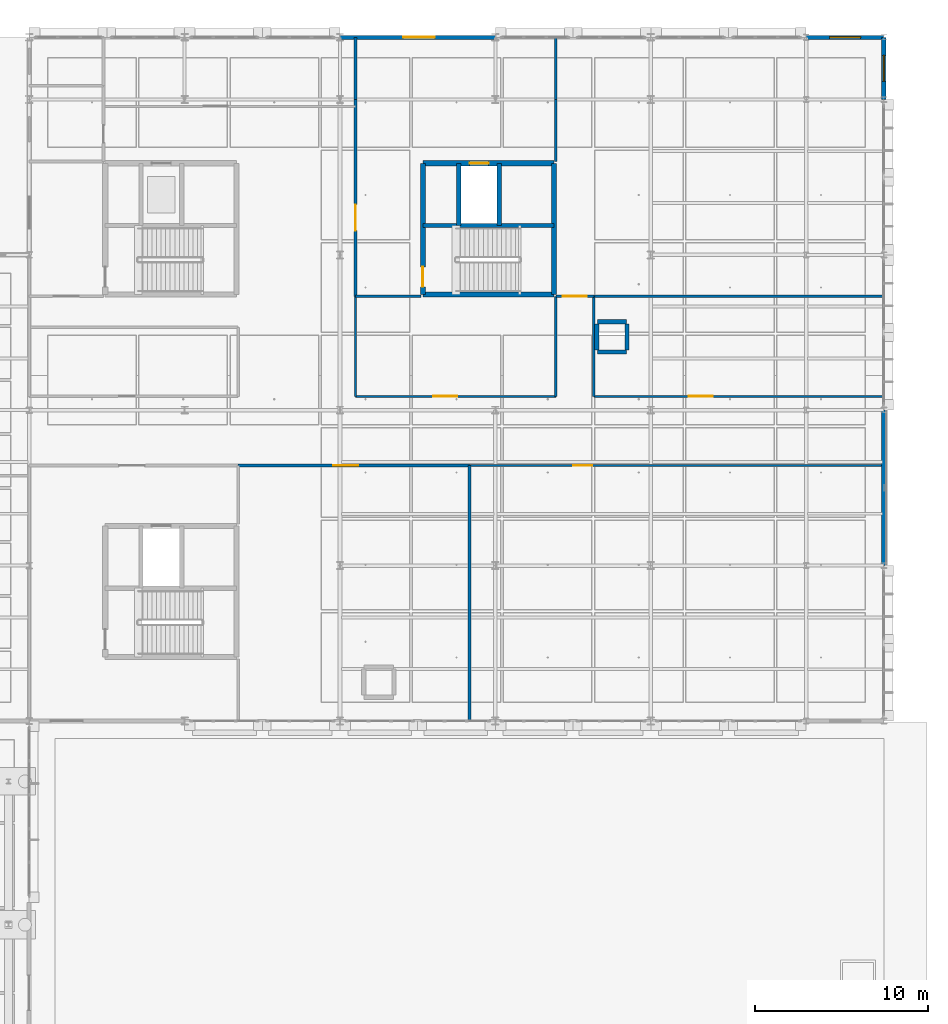
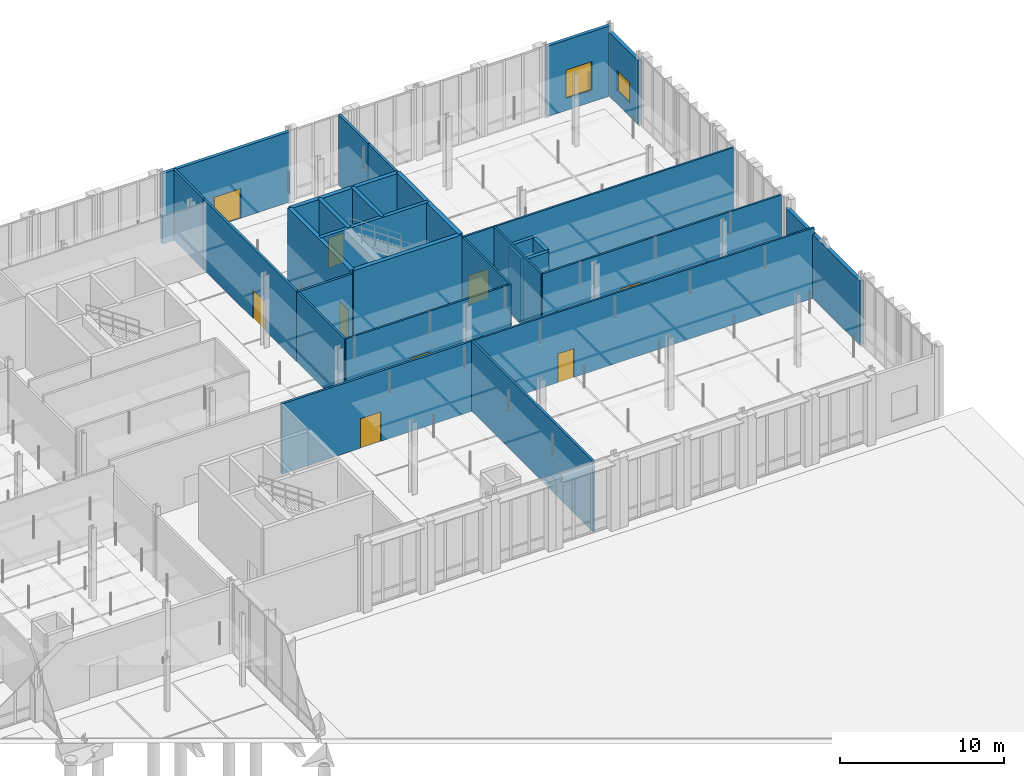
# One storey, part 102 of 180: 30 walls, 9 doors, 2 windows, 11 openings.
"""IFC4 building model written with IfcOpenShell, lengths in metres."""

from ifc_helpers import new_model, si_unit, direction, frame, frame_2d, origin, place, context, subcontext, project, spatial, rectangle, extrude, material, layer, layer_set, type_object, element, fill, save


model = new_model("IFC4")

# Units and contexts
model_context = context("Model", 3, precision=1e-05, world=origin(), true_north=direction((0.0, 1.0)))
body_context = subcontext(model_context, "Body", "Model", "MODEL_VIEW")
ifc_project = project(units=[si_unit("LENGTHUNIT", "METRE"), si_unit("AREAUNIT", "SQUARE_METRE"), si_unit("VOLUMEUNIT", "CUBIC_METRE"), si_unit("PLANEANGLEUNIT", "RADIAN"), si_unit("MASSUNIT", "GRAM", prefix="KILO"), si_unit("THERMODYNAMICTEMPERATUREUNIT", "KELVIN"), si_unit("POWERUNIT", "WATT")], contexts=[model_context])

# Site, building, storey
site_placement = place(None, origin())
site = spatial("IfcSite", under=ifc_project, at=site_placement, CompositionType="ELEMENT")
building_placement = place(site_placement, origin())
building = spatial("IfcBuilding", under=site, at=building_placement, Name="Tallowbark Science Centre", CompositionType="ELEMENT")
storey_placement = place(building_placement, origin())
storey = spatial("IfcBuildingStorey", under=building, at=storey_placement, Name="L00", CompositionType="ELEMENT", Elevation=0.0)

# Wall, opening, door
ifc_material_1 = material(Name="Hawkesbury Sandstone Faced Masonry Cavity Wall", Category="masonry")
ifc_layer_1 = layer(ifc_material_1, 0.22998046875)
ifc_layer_set_1 = layer_set([ifc_layer_1], Name="Hawkesbury Sandstone Faced Masonry Cavity Wall")
wall_type_1 = type_object("IfcWallType", Name="EWL-MAS-230", PredefinedType="STANDARD", material=ifc_layer_set_1)
wall_1_placement = place(storey_placement, frame((139.5, 111.60009765625, 0.0), z_axis=(0.0, 0.0, 1.0), x_axis=(-1.0, 0.0, 0.0)))
wall_1 = element("IfcWall", 1, at=wall_1_placement, inside=storey, type_object=wall_type_1, Name="Exterior Wall OBS-N-L00-130", PredefinedType="STANDARD", context=body_context, shape_type="SweptSolid", body=[
    extrude(rectangle(XDim=9.0, YDim=0.22998046875, at=frame_2d((4.5, 0.0))), origin(), (0.0, 0.0, 1.0), 5.219970703125),
])
opening_1_placement = place(wall_1_placement, frame((3.5, 0.0, 0.0)))
opening_1 = element("IfcOpeningElement", 2, at=opening_1_placement, cuts=wall_1, Name="Opening ED-07", PredefinedType="OPENING", context=body_context, shape_type="SweptSolid", body=[
    extrude(rectangle(XDim=1.85009765625, YDim=2.199951171875, at=frame_2d((0.925048828125, 1.10009765625))), frame((0.0, 0.125, 0.0), z_axis=(0.0, -1.0, 0.0), x_axis=(1.0, 0.0, 0.0)), (0.0, 0.0, 1.0), 0.25),
])
ifc_material_2 = material(Name="Powdercoated Galvanised Steel Leaf", Category="steel")
door_type_1 = type_object("IfcDoorType", Name="EDR-ESC-185", OperationType="DOUBLE_DOOR_SINGLE_SWING", PredefinedType="DOOR", material=ifc_material_2)
door_1_placement = place(opening_1_placement, origin())
door_1 = element("IfcDoor", 3, at=door_1_placement, inside=storey, type_object=door_type_1, Name="Exterior Door EDR-L00-034", OperationType="DOUBLE_DOOR_SINGLE_SWING", OverallHeight=2.199951171875, OverallWidth=1.85009765625, PredefinedType="DOOR", context=body_context, shape_type="SweptSolid", body=[
    extrude(rectangle(XDim=1.85009765625, YDim=2.199951171875, at=frame_2d((0.925048828125, 1.10009765625))), frame((0.0, 0.02490234375, 0.0), z_axis=(0.0, -1.0, 0.0), x_axis=(1.0, 0.0, 0.0)), (0.0, 0.0, 1.0), 0.050048828125),
])
fill(opening_1, door_1)

# Wall, opening, window
wall_2_placement = place(storey_placement, frame((162.0, 111.60009765625, 0.0), z_axis=(0.0, 0.0, 1.0), x_axis=(-1.0, 0.0, 0.0)))
wall_2 = element("IfcWall", 4, at=wall_2_placement, inside=storey, type_object=wall_type_1, Name="Exterior Wall OBS-N-L00-157", PredefinedType="STANDARD", context=body_context, shape_type="SweptSolid", body=[
    extrude(rectangle(XDim=4.5, YDim=0.22998046875, at=frame_2d((2.25, 0.0))), origin(), (0.0, 0.0, 1.0), 5.219970703125),
])
opening_2_placement = place(wall_2_placement, frame((1.35009765625, 0.0, 0.89990234375)))
opening_2 = element("IfcOpeningElement", 5, at=opening_2_placement, cuts=wall_2, Name="Opening W-04", PredefinedType="OPENING", context=body_context, shape_type="SweptSolid", body=[
    extrude(rectangle(XDim=1.800048828125, YDim=2.10009765625, at=frame_2d((0.89990234375, 1.050048828125))), frame((0.0, 0.125, 0.0), z_axis=(0.0, -1.0, 0.0), x_axis=(1.0, 0.0, 0.0)), (0.0, 0.0, 1.0), 0.25),
])
ifc_material_3 = material(Name="Thermally Broken Aluminium and Low-E Double Glazing", Category="aluminium")
window_type_1 = type_object("IfcWindowType", Name="WIN-F180x210", PartitioningType="SINGLE_PANEL", PredefinedType="WINDOW", material=ifc_material_3)
window_1_placement = place(opening_2_placement, origin())
window_1 = element("IfcWindow", 6, at=window_1_placement, inside=storey, type_object=window_type_1, Name="Window WIN-L00-0036", OverallHeight=2.10009765625, OverallWidth=1.800048828125, PartitioningType="SINGLE_PANEL", PredefinedType="WINDOW", context=body_context, shape_type="SweptSolid", body=[
    extrude(rectangle(XDim=1.800048828125, YDim=2.10009765625, at=frame_2d((0.89990234375, 1.050048828125))), frame((0.0, 0.030029296875, 0.0), z_axis=(0.0, -1.0, 0.0), x_axis=(1.0, 0.0, 0.0)), (0.0, 0.0, 1.0), 0.06005859375),
])
fill(opening_2, window_1)

# Wall
ifc_material_4 = material(Name="Insulated Precast Concrete Panel Grade N40 (40 MPa)", Category="concrete")
ifc_layer_2 = layer(ifc_material_4, 0.25)
ifc_layer_set_2 = layer_set([ifc_layer_2], Name="Insulated Precast Concrete Panel Grade N40 (40 MPa)")
wall_type_2 = type_object("IfcWallType", Name="EWL-PRC-250", PredefinedType="STANDARD", material=ifc_layer_set_2)
wall_3_placement = place(storey_placement, frame((162.0, 81.0, 0.0), z_axis=(0.0, 0.0, 1.0), x_axis=(0.0, 1.0, 0.0)))
element("IfcWall", 7, at=wall_3_placement, inside=storey, type_object=wall_type_2, Name="Exterior Wall OBS-E-L00-81", PredefinedType="STANDARD", context=body_context, shape_type="SweptSolid", body=[
    extrude(rectangle(XDim=9.0, YDim=0.25, at=frame_2d((4.5, 0.0))), origin(), (0.0, 0.0, 1.0), 4.74609375),
])

# Wall, opening, window
wall_4_placement = place(storey_placement, frame((162.0, 108.0, 0.0), z_axis=(0.0, 0.0, 1.0), x_axis=(0.0, 1.0, 0.0)))
wall_4 = element("IfcWall", 8, at=wall_4_placement, inside=storey, type_object=wall_type_2, Name="Exterior Wall OBS-E-L00-108", PredefinedType="STANDARD", context=body_context, shape_type="SweptSolid", body=[
    extrude(rectangle(XDim=3.60009765625, YDim=0.25, at=frame_2d((1.800048828125, 0.0))), origin(), (0.0, 0.0, 1.0), 4.74609375),
])
opening_3_placement = place(wall_4_placement, frame((1.050048828125, 0.0, 1.0)))
opening_3 = element("IfcOpeningElement", 9, at=opening_3_placement, cuts=wall_4, Name="Opening W-08", PredefinedType="OPENING", context=body_context, shape_type="SweptSolid", body=[
    extrude(rectangle(XDim=1.5, YDim=1.5, at=frame_2d((0.75, 0.75))), frame((0.0, 0.135009765625, 0.0), z_axis=(0.0, -1.0, 0.0), x_axis=(1.0, 0.0, 0.0)), (0.0, 0.0, 1.0), 0.27001953125),
])
window_type_2 = type_object("IfcWindowType", Name="WIN-F150x150", PartitioningType="SINGLE_PANEL", PredefinedType="WINDOW", material=ifc_material_3)
window_2_placement = place(opening_3_placement, origin())
window_2 = element("IfcWindow", 10, at=window_2_placement, inside=storey, type_object=window_type_2, Name="Window WIN-L00-0037", OverallHeight=1.5, OverallWidth=1.5, PartitioningType="SINGLE_PANEL", PredefinedType="WINDOW", context=body_context, shape_type="SweptSolid", body=[
    extrude(rectangle(XDim=1.5, YDim=1.5, at=frame_2d((0.75, 0.75))), frame((0.0, 0.030029296875, 0.0), z_axis=(0.0, -1.0, 0.0), x_axis=(1.0, 0.0, 0.0)), (0.0, 0.0, 1.0), 0.06005859375),
])
fill(opening_3, window_2)

# Wall, opening, door
ifc_material_5 = material(Name="132 mm Acoustic Laboratory Steel Stud Partition", Category="steel")
ifc_layer_3 = layer(ifc_material_5, 0.132080078125)
ifc_layer_set_3 = layer_set([ifc_layer_3], Name="132 mm Acoustic Laboratory Steel Stud Partition")
wall_type_3 = type_object("IfcWallType", Name="PTW-132", PredefinedType="PARTITIONING", material=ifc_layer_set_3)
wall_5_placement = place(storey_placement, frame((138.0, 86.800048828125, 0.0), z_axis=(0.0, 0.0, 1.0), x_axis=(1.0, 0.0, 0.0)))
wall_5 = element("IfcWall", 11, at=wall_5_placement, inside=storey, type_object=wall_type_3, Name="Interior Partition PTW-L00-0135", PredefinedType="PARTITIONING", context=body_context, shape_type="SweptSolid", body=[
    extrude(rectangle(XDim=24.0, YDim=0.132080078125, at=frame_2d((12.0, 0.0))), origin(), (0.0, 0.0, 1.0), 5.219970703125),
])
opening_4_placement = place(wall_5_placement, frame((6.0, 0.0, 0.0)))
opening_4 = element("IfcOpeningElement", 12, at=opening_4_placement, cuts=wall_5, Name="Opening ID-07", PredefinedType="OPENING", context=body_context, shape_type="SweptSolid", body=[
    extrude(rectangle(XDim=1.10009765625, YDim=2.14990234375, at=frame_2d((0.550048828125, 1.074951171875))), frame((0.0, 0.076171875, 0.0), z_axis=(0.0, -1.0, 0.0), x_axis=(1.0, 0.0, 0.0)), (0.0, 0.0, 1.0), 0.152099609375),
])
ifc_material_6 = material(Name="Heavy-Duty Store Leaf")
door_type_2 = type_object("IfcDoorType", Name="IDR-STO-110", OperationType="NOTDEFINED", PredefinedType="DOOR", material=ifc_material_6)
door_2_placement = place(opening_4_placement, origin())
door_2 = element("IfcDoor", 13, at=door_2_placement, inside=storey, type_object=door_type_2, Name="Interior Door IDR-L00-0053", OperationType="SINGLE_SWING_RIGHT", OverallHeight=2.14990234375, OverallWidth=1.10009765625, PredefinedType="DOOR", context=body_context, shape_type="SweptSolid", body=[
    extrude(rectangle(XDim=1.10009765625, YDim=2.14990234375, at=frame_2d((0.550048828125, 1.074951171875))), frame((0.0, 0.02490234375, 0.0), z_axis=(0.0, -1.0, 0.0), x_axis=(1.0, 0.0, 0.0)), (0.0, 0.0, 1.0), 0.050048828125),
])
fill(opening_4, door_2)

wall_6_placement = place(storey_placement, frame((131.39990234375, 90.800048828125, 0.0), z_axis=(0.0, 0.0, 1.0), x_axis=(1.0, 0.0, 0.0)))
wall_6 = element("IfcWall", 14, at=wall_6_placement, inside=storey, type_object=wall_type_3, Name="Interior Partition PTW-L00-0150", PredefinedType="PARTITIONING", context=body_context, shape_type="SweptSolid", body=[
    extrude(rectangle(XDim=11.60009765625, YDim=0.132080078125, at=frame_2d((5.800048828125, 0.0))), origin(), (0.0, 0.0, 1.0), 5.219970703125),
])
opening_5_placement = place(wall_6_placement, frame((4.5, 0.0, 0.0)))
opening_5 = element("IfcOpeningElement", 15, at=opening_5_placement, cuts=wall_6, Name="Opening ID-01", PredefinedType="OPENING", context=body_context, shape_type="SweptSolid", body=[
    extrude(rectangle(XDim=1.39990234375, YDim=2.199951171875, at=frame_2d((0.699951171875, 1.10009765625))), frame((0.0, 0.076171875, 0.0), z_axis=(0.0, -1.0, 0.0), x_axis=(1.0, 0.0, 0.0)), (0.0, 0.0, 1.0), 0.152099609375),
])
ifc_material_7 = material(Name="Vision-Panel Leaf and Unequal Side Leaf")
door_type_3 = type_object("IfcDoorType", Name="IDR-LAB-140", OperationType="DOUBLE_DOOR_SINGLE_SWING", PredefinedType="DOOR", material=ifc_material_7)
door_3_placement = place(opening_5_placement, origin())
door_3 = element("IfcDoor", 16, at=door_3_placement, inside=storey, type_object=door_type_3, Name="Interior Door IDR-L00-0060", OperationType="DOUBLE_DOOR_SINGLE_SWING", OverallHeight=2.199951171875, OverallWidth=1.39990234375, PredefinedType="DOOR", context=body_context, shape_type="SweptSolid", body=[
    extrude(rectangle(XDim=1.39990234375, YDim=2.199951171875, at=frame_2d((0.699951171875, 1.10009765625))), frame((0.0, 0.02490234375, 0.0), z_axis=(0.0, -1.0, 0.0), x_axis=(1.0, 0.0, 0.0)), (0.0, 0.0, 1.0), 0.050048828125),
])
fill(opening_5, door_3)

wall_7_placement = place(storey_placement, frame((145.199951171875, 90.800048828125, 0.0), z_axis=(0.0, 0.0, 1.0), x_axis=(1.0, 0.0, 0.0)))
wall_7 = element("IfcWall", 17, at=wall_7_placement, inside=storey, type_object=wall_type_3, Name="Interior Partition PTW-L00-0151", PredefinedType="PARTITIONING", context=body_context, shape_type="SweptSolid", body=[
    extrude(rectangle(XDim=16.800048828125, YDim=0.132080078125, at=frame_2d((8.39990234375, 0.0))), origin(), (0.0, 0.0, 1.0), 5.219970703125),
])
opening_6_placement = place(wall_7_placement, frame((5.5, 0.0, 0.0)))
opening_6 = element("IfcOpeningElement", 18, at=opening_6_placement, cuts=wall_7, Name="Opening ID-01", PredefinedType="OPENING", context=body_context, shape_type="SweptSolid", body=[
    extrude(rectangle(XDim=1.39990234375, YDim=2.199951171875, at=frame_2d((0.699951171875, 1.10009765625))), frame((0.0, 0.076171875, 0.0), z_axis=(0.0, -1.0, 0.0), x_axis=(1.0, 0.0, 0.0)), (0.0, 0.0, 1.0), 0.152099609375),
])
door_4_placement = place(opening_6_placement, origin())
door_4 = element("IfcDoor", 19, at=door_4_placement, inside=storey, type_object=door_type_3, Name="Interior Door IDR-L00-0061", OperationType="DOUBLE_DOOR_SINGLE_SWING", OverallHeight=2.199951171875, OverallWidth=1.39990234375, PredefinedType="DOOR", context=body_context, shape_type="SweptSolid", body=[
    extrude(rectangle(XDim=1.39990234375, YDim=2.199951171875, at=frame_2d((0.699951171875, 1.10009765625))), frame((0.0, 0.02490234375, 0.0), z_axis=(0.0, -1.0, 0.0), x_axis=(1.0, 0.0, 0.0)), (0.0, 0.0, 1.0), 0.050048828125),
])
fill(opening_6, door_4)

# Walls
for number, where, z_axis, x_axis, name in (
    (20, (131.39990234375, 90.800048828125, 0.0), (0.0, 0.0, 1.0), (0.0, 1.0, 0.0), "Interior Partition PTW-L00-0152"),
    (21, (143.0, 90.800048828125, 0.0), (0.0, 0.0, 1.0), (0.0, 1.0, 0.0), "Interior Partition PTW-L00-0153"),
    (22, (145.199951171875, 90.800048828125, 0.0), (0.0, 0.0, 1.0), (0.0, 1.0, 0.0), "Interior Partition PTW-L00-0154"),
):
    element("IfcWall", number, at=place(storey_placement, frame(where, z_axis=z_axis, x_axis=x_axis)), inside=storey, type_object=wall_type_3, Name=name, PredefinedType="PARTITIONING", context=body_context, shape_type="SweptSolid", body=[
        extrude(rectangle(XDim=5.800048828125, YDim=0.132080078125, at=frame_2d((2.89990234375, 0.0))), origin(), (0.0, 0.0, 1.0), 5.219970703125),
    ])

# Wall, opening, door
wall_8_placement = place(storey_placement, frame((143.0, 96.60009765625, 0.0), z_axis=(0.0, 0.0, 1.0), x_axis=(1.0, 0.0, 0.0)))
wall_8 = element("IfcWall", 23, at=wall_8_placement, inside=storey, type_object=wall_type_3, Name="Interior Partition PTW-L00-0155", PredefinedType="PARTITIONING", context=body_context, shape_type="SweptSolid", body=[
    extrude(rectangle(XDim=2.199951171875, YDim=0.132080078125, at=frame_2d((1.10009765625, 0.0))), origin(), (0.0, 0.0, 1.0), 5.219970703125),
])
opening_7_placement = place(wall_8_placement, frame((0.39990234375, 0.0, 0.0)))
opening_7 = element("IfcOpeningElement", 24, at=opening_7_placement, cuts=wall_8, Name="Opening ID-01", PredefinedType="OPENING", context=body_context, shape_type="SweptSolid", body=[
    extrude(rectangle(XDim=1.39990234375, YDim=2.199951171875, at=frame_2d((0.699951171875, 1.10009765625))), frame((0.0, 0.076171875, 0.0), z_axis=(0.0, -1.0, 0.0), x_axis=(1.0, 0.0, 0.0)), (0.0, 0.0, 1.0), 0.152099609375),
])
door_5_placement = place(opening_7_placement, origin())
door_5 = element("IfcDoor", 25, at=door_5_placement, inside=storey, type_object=door_type_3, Name="Interior Door IDR-L00-0062", OperationType="DOUBLE_DOOR_SINGLE_SWING", OverallHeight=2.199951171875, OverallWidth=1.39990234375, PredefinedType="DOOR", context=body_context, shape_type="SweptSolid", body=[
    extrude(rectangle(XDim=1.39990234375, YDim=2.199951171875, at=frame_2d((0.699951171875, 1.10009765625))), frame((0.0, 0.02490234375, 0.0), z_axis=(0.0, -1.0, 0.0), x_axis=(1.0, 0.0, 0.0)), (0.0, 0.0, 1.0), 0.050048828125),
])
fill(opening_7, door_5)

# Wall
wall_9_placement = place(storey_placement, frame((145.199951171875, 96.60009765625, 0.0), z_axis=(0.0, 0.0, 1.0), x_axis=(1.0, 0.0, 0.0)))
element("IfcWall", 26, at=wall_9_placement, inside=storey, type_object=wall_type_3, Name="Interior Partition PTW-L00-0156", PredefinedType="PARTITIONING", context=body_context, shape_type="SweptSolid", body=[
    extrude(rectangle(XDim=16.800048828125, YDim=0.132080078125, at=frame_2d((8.39990234375, 0.0))), origin(), (0.0, 0.0, 1.0), 5.219970703125),
])

# Wall, opening, door
ifc_material_8 = material(Name="162 mm Double-Stud Fire-Rated Corridor Partition")
ifc_layer_4 = layer(ifc_material_8, 0.162109375)
ifc_layer_set_4 = layer_set([ifc_layer_4], Name="162 mm Double-Stud Fire-Rated Corridor Partition")
wall_type_4 = type_object("IfcWallType", Name="PTW-162", PredefinedType="PARTITIONING", material=ifc_layer_set_4)
wall_10_placement = place(storey_placement, frame((131.39990234375, 96.60009765625, 0.0), z_axis=(0.0, 0.0, 1.0), x_axis=(0.0, 1.0, 0.0)))
wall_10 = element("IfcWall", 27, at=wall_10_placement, inside=storey, type_object=wall_type_4, Name="Interior Partition PTW-L00-0019", PredefinedType="PARTITIONING", context=body_context, shape_type="SweptSolid", body=[
    extrude(rectangle(XDim=11.39990234375, YDim=0.162109375, at=frame_2d((5.699951171875, 0.0))), origin(), (0.0, 0.0, 1.0), 5.219970703125),
])
opening_8_placement = place(wall_10_placement, frame((3.800048828125, 0.0, 0.0)))
opening_8 = element("IfcOpeningElement", 28, at=opening_8_placement, cuts=wall_10, Name="Opening DS-04", PredefinedType="OPENING", context=body_context, shape_type="SweptSolid", body=[
    extrude(rectangle(XDim=1.510009765625, YDim=2.14990234375, at=frame_2d((0.7548828125, 1.074951171875))), frame((0.0, 0.091064453125, 0.0), z_axis=(0.0, -1.0, 0.0), x_axis=(1.0, 0.0, 0.0)), (0.0, 0.0, 1.0), 0.18212890625),
])
ifc_material_9 = material(Name="Fire-Rated Glazed Steel Pair", Category="steel")
door_type_4 = type_object("IfcDoorType", Name="FDR-LOB-145-S04", OperationType="DOUBLE_DOOR_SINGLE_SWING", PredefinedType="DOOR", material=ifc_material_9)
door_6_placement = place(opening_8_placement, origin())
door_6 = element("IfcDoor", 29, at=door_6_placement, inside=storey, type_object=door_type_4, Name="Interior Door IDR-L00-0004", OperationType="DOUBLE_DOOR_SINGLE_SWING", OverallHeight=2.14990234375, OverallWidth=1.510009765625, PredefinedType="DOOR", context=body_context, shape_type="SweptSolid", body=[
    extrude(rectangle(XDim=1.510009765625, YDim=2.14990234375, at=frame_2d((0.7548828125, 1.074951171875))), frame((0.0, 0.02490234375, 0.0), z_axis=(0.0, -1.0, 0.0), x_axis=(1.0, 0.0, 0.0)), (0.0, 0.0, 1.0), 0.050048828125),
])
fill(opening_8, door_6)

# Walls
wall_11_placement = place(storey_placement, frame((131.39990234375, 96.60009765625, 0.0), z_axis=(0.0, 0.0, 1.0), x_axis=(1.0, 0.0, 0.0)))
element("IfcWall", 30, at=wall_11_placement, inside=storey, type_object=wall_type_4, Name="Interior Partition PTW-L00-0020", PredefinedType="PARTITIONING", context=body_context, shape_type="SweptSolid", body=[
    extrude(rectangle(XDim=3.800048828125, YDim=0.162109375, at=frame_2d((1.89990234375, 0.0))), origin(), (0.0, 0.0, 1.0), 5.219970703125),
])
for number, where, z_axis, x_axis, name in (
    (31, (143.0, 104.39990234375, 0.0), (0.0, 0.0, 1.0), (0.0, 1.0, 0.0), "Interior Partition PTW-L00-0021"),
    (32, (131.39990234375, 108.0, 0.0), (0.0, 0.0, 1.0), (0.0, 1.0, 0.0), "Interior Partition PTW-L00-0022"),
):
    element("IfcWall", number, at=place(storey_placement, frame(where, z_axis=z_axis, x_axis=x_axis)), inside=storey, type_object=wall_type_4, Name=name, PredefinedType="PARTITIONING", context=body_context, shape_type="SweptSolid", body=[
        extrude(rectangle(XDim=3.60009765625, YDim=0.162109375, at=frame_2d((1.800048828125, 0.0))), origin(), (0.0, 0.0, 1.0), 5.219970703125),
    ])

# Wall, opening, door
wall_12_placement = place(storey_placement, frame((124.60009765625, 86.800048828125, 0.0), z_axis=(0.0, 0.0, 1.0), x_axis=(1.0, 0.0, 0.0)))
wall_12 = element("IfcWall", 33, at=wall_12_placement, inside=storey, type_object=wall_type_4, Name="Interior Partition PTW-L00-0133", PredefinedType="PARTITIONING", context=body_context, shape_type="SweptSolid", body=[
    extrude(rectangle(XDim=13.39990234375, YDim=0.162109375, at=frame_2d((6.699951171875, 0.0))), origin(), (0.0, 0.0, 1.0), 5.219970703125),
])
opening_9_placement = place(wall_12_placement, frame((5.5, 0.0, 0.0)))
opening_9 = element("IfcOpeningElement", 34, at=opening_9_placement, cuts=wall_12, Name="Opening FD-02", PredefinedType="OPENING", context=body_context, shape_type="SweptSolid", body=[
    extrude(rectangle(XDim=1.449951171875, YDim=2.199951171875, at=frame_2d((0.72509765625, 1.10009765625))), frame((0.0, 0.091064453125, 0.0), z_axis=(0.0, -1.0, 0.0), x_axis=(1.0, 0.0, 0.0)), (0.0, 0.0, 1.0), 0.18212890625),
])
door_type_5 = type_object("IfcDoorType", Name="FDR-LOB-145", OperationType="DOUBLE_DOOR_SINGLE_SWING", PredefinedType="DOOR", material=ifc_material_9)
door_7_placement = place(opening_9_placement, origin())
door_7 = element("IfcDoor", 35, at=door_7_placement, inside=storey, type_object=door_type_5, Name="Interior Door IDR-L00-0052", OperationType="DOUBLE_DOOR_SINGLE_SWING", OverallHeight=2.199951171875, OverallWidth=1.449951171875, PredefinedType="DOOR", context=body_context, shape_type="SweptSolid", body=[
    extrude(rectangle(XDim=1.449951171875, YDim=2.199951171875, at=frame_2d((0.72509765625, 1.10009765625))), frame((0.0, 0.02490234375, 0.0), z_axis=(0.0, -1.0, 0.0), x_axis=(1.0, 0.0, 0.0)), (0.0, 0.0, 1.0), 0.050048828125),
])
fill(opening_9, door_7)

# Walls
wall_13_placement = place(storey_placement, frame((138.0, 72.0, 0.0), z_axis=(0.0, 0.0, 1.0), x_axis=(0.0, 1.0, 0.0)))
element("IfcWall", 36, at=wall_13_placement, inside=storey, type_object=wall_type_4, Name="Interior Partition PTW-L00-0134", PredefinedType="PARTITIONING", context=body_context, shape_type="SweptSolid", body=[
    extrude(rectangle(XDim=14.800048828125, YDim=0.162109375, at=frame_2d((7.39990234375, 0.0))), origin(), (0.0, 0.0, 1.0), 5.219970703125),
])
wall_14_placement = place(storey_placement, frame((143.0, 108.0, 0.0), z_axis=(0.0, 0.0, 1.0), x_axis=(0.0, 1.0, 0.0)))
element("IfcWall", 37, at=wall_14_placement, inside=storey, type_object=wall_type_4, Name="Interior Partition PTW-L00-0157", PredefinedType="PARTITIONING", context=body_context, shape_type="SweptSolid", body=[
    extrude(rectangle(XDim=3.60009765625, YDim=0.162109375, at=frame_2d((1.800048828125, 0.0))), origin(), (0.0, 0.0, 1.0), 5.219970703125),
])

# Wall, opening, door
ifc_material_10 = material(Name="Concrete Grade N40 (40 MPa)", Category="concrete")
ifc_layer_5 = layer(ifc_material_10, 0.300048828125)
ifc_layer_set_5 = layer_set([ifc_layer_5], Name="Concrete Grade N40 (40 MPa)")
wall_type_5 = type_object("IfcWallType", Name="WL-CORE-300", PredefinedType="SHEAR", material=ifc_layer_set_5)
wall_15_placement = place(storey_placement, frame((135.300048828125, 96.699951171875, 0.0), z_axis=(0.0, 0.0, 1.0), x_axis=(0.0, 1.0, 0.0)))
wall_15 = element("IfcWall", 38, at=wall_15_placement, inside=storey, type_object=wall_type_5, Name="Core C4 Shear Wall L00 W", PredefinedType="SHEAR", context=body_context, shape_type="SweptSolid", body=[
    extrude(rectangle(XDim=7.60009765625, YDim=0.300048828125, at=frame_2d((3.800048828125, 0.0))), origin(), (0.0, 0.0, 1.0), 5.39990234375),
])
opening_10_placement = place(wall_15_placement, frame((0.449951171875, 0.0, 0.0)))
opening_10 = element("IfcOpeningElement", 39, at=opening_10_placement, cuts=wall_15, Name="Opening FD-01", PredefinedType="OPENING", context=body_context, shape_type="SweptSolid", body=[
    extrude(rectangle(XDim=1.14990234375, YDim=2.14990234375, at=frame_2d((0.574951171875, 1.074951171875))), frame((0.0, 0.16015625, 0.0), z_axis=(0.0, -1.0, 0.0), x_axis=(1.0, 0.0, 0.0)), (0.0, 0.0, 1.0), 0.320068359375),
])
ifc_material_11 = material(Name="Fire-Rated Pressed Steel Frame and Solid Core Leaf", Category="steel")
door_type_6 = type_object("IfcDoorType", Name="FDR-STR-115", OperationType="NOTDEFINED", PredefinedType="DOOR", material=ifc_material_11)
door_8_placement = place(opening_10_placement, origin())
door_8 = element("IfcDoor", 40, at=door_8_placement, inside=storey, type_object=door_type_6, Name="Stair ST-04 Fire Door L00", OperationType="SINGLE_SWING_RIGHT", OverallHeight=2.14990234375, OverallWidth=1.14990234375, PredefinedType="DOOR", context=body_context, shape_type="SweptSolid", body=[
    extrude(rectangle(XDim=1.14990234375, YDim=2.14990234375, at=frame_2d((0.574951171875, 1.074951171875))), frame((0.0, 0.02490234375, 0.0), z_axis=(0.0, -1.0, 0.0), x_axis=(1.0, 0.0, 0.0)), (0.0, 0.0, 1.0), 0.050048828125),
])
fill(opening_10, door_8)

# Walls
wall_16_placement = place(storey_placement, frame((142.89990234375, 96.699951171875, 0.0), z_axis=(0.0, 0.0, 1.0), x_axis=(0.0, 1.0, 0.0)))
element("IfcWall", 41, at=wall_16_placement, inside=storey, type_object=wall_type_5, Name="Core C4 Shear Wall L00 E", PredefinedType="SHEAR", context=body_context, shape_type="SweptSolid", body=[
    extrude(rectangle(XDim=7.60009765625, YDim=0.300048828125, at=frame_2d((3.800048828125, 0.0))), origin(), (0.0, 0.0, 1.0), 5.39990234375),
])
wall_17_placement = place(storey_placement, frame((135.300048828125, 96.699951171875, 0.0), z_axis=(0.0, 0.0, 1.0), x_axis=(1.0, 0.0, 0.0)))
element("IfcWall", 42, at=wall_17_placement, inside=storey, type_object=wall_type_5, Name="Core C4 Shear Wall L00 S", PredefinedType="SHEAR", context=body_context, shape_type="SweptSolid", body=[
    extrude(rectangle(XDim=7.599853515625, YDim=0.300048828125, at=frame_2d((3.7998046875, 0.0))), origin(), (0.0, 0.0, 1.0), 5.39990234375),
])

# Wall, opening, door
wall_18_placement = place(storey_placement, frame((135.300048828125, 104.300048828125, 0.0), z_axis=(0.0, 0.0, 1.0), x_axis=(1.0, 0.0, 0.0)))
wall_18 = element("IfcWall", 43, at=wall_18_placement, inside=storey, type_object=wall_type_5, Name="Core C4 Shear Wall L00 N", PredefinedType="SHEAR", context=body_context, shape_type="SweptSolid", body=[
    extrude(rectangle(XDim=7.599853515625, YDim=0.300048828125, at=frame_2d((3.7998046875, 0.0))), origin(), (0.0, 0.0, 1.0), 5.39990234375),
])
opening_11_placement = place(wall_18_placement, frame((2.699951171875, 0.0, 0.0)))
opening_11 = element("IfcOpeningElement", 44, at=opening_11_placement, cuts=wall_18, Name="Opening LD-01", PredefinedType="OPENING", context=body_context, shape_type="SweptSolid", body=[
    extrude(rectangle(XDim=1.10009765625, YDim=2.199951171875, at=frame_2d((0.550048828125, 1.10009765625))), frame((0.0, 0.16015625, 0.0), z_axis=(0.0, -1.0, 0.0), x_axis=(1.0, 0.0, 0.0)), (0.0, 0.0, 1.0), 0.320068359375),
])
ifc_material_12 = material(Name="Brushed Stainless Steel Centre-Parting Lift Landing Door", Category="steel")
door_type_7 = type_object("IfcDoorType", Name="LDR-LFT-110", OperationType="DOUBLE_DOOR_SLIDING", PredefinedType="DOOR", material=ifc_material_12)
door_9_placement = place(opening_11_placement, origin())
door_9 = element("IfcDoor", 45, at=door_9_placement, inside=storey, type_object=door_type_7, Name="Lift LF-03 Landing Door L00", OperationType="DOUBLE_DOOR_SLIDING", OverallHeight=2.199951171875, OverallWidth=1.10009765625, PredefinedType="DOOR", context=body_context, shape_type="SweptSolid", body=[
    extrude(rectangle(XDim=1.10009765625, YDim=2.199951171875, at=frame_2d((0.550048828125, 1.10009765625))), frame((0.0, 0.02490234375, 0.0), z_axis=(0.0, -1.0, 0.0), x_axis=(1.0, 0.0, 0.0)), (0.0, 0.0, 1.0), 0.050048828125),
])
fill(opening_11, door_9)

# Walls
ifc_layer_6 = layer(ifc_material_10, 0.25)
ifc_layer_set_6 = layer_set([ifc_layer_6], Name="Concrete Grade N40 (40 MPa)")
wall_type_6 = type_object("IfcWallType", Name="WL-SHAFT-250", PredefinedType="SHEAR", material=ifc_layer_set_6)
wall_19_placement = place(storey_placement, frame((135.300048828125, 100.695068359375, 0.0), z_axis=(0.0, 0.0, 1.0), x_axis=(1.0, 0.0, 0.0)))
element("IfcWall", 46, at=wall_19_placement, inside=storey, type_object=wall_type_6, Name="Core C4 Shear Wall L00 MID", PredefinedType="SHEAR", context=body_context, shape_type="SweptSolid", body=[
    extrude(rectangle(XDim=7.599853515625, YDim=0.25, at=frame_2d((3.7998046875, 0.0))), origin(), (0.0, 0.0, 1.0), 5.39990234375),
])
for number, where, z_axis, x_axis, name in (
    (47, (137.375, 100.695068359375, 0.0), (0.0, 0.0, 1.0), (0.0, 1.0, 0.0), "Core C4 Shear Wall L00 LW"),
    (48, (139.72509765625, 100.695068359375, 0.0), (0.0, 0.0, 1.0), (0.0, 1.0, 0.0), "Core C4 Shear Wall L00 LE"),
):
    element("IfcWall", number, at=place(storey_placement, frame(where, z_axis=z_axis, x_axis=x_axis)), inside=storey, type_object=wall_type_6, Name=name, PredefinedType="SHEAR", context=body_context, shape_type="SweptSolid", body=[
        extrude(rectangle(XDim=3.60498046875, YDim=0.25, at=frame_2d((1.802490234375, 0.0))), origin(), (0.0, 0.0, 1.0), 5.39990234375),
    ])
for number, where, z_axis, x_axis, name in (
    (49, (145.39990234375, 93.375, 0.0), (0.0, 0.0, 1.0), (1.0, 0.0, 0.0), "Service Riser Shaft Wall RSR-OBS-N L00 S"),
    (50, (145.39990234375, 95.125, 0.0), (0.0, 0.0, 1.0), (1.0, 0.0, 0.0), "Service Riser Shaft Wall RSR-OBS-N L00 N"),
):
    element("IfcWall", number, at=place(storey_placement, frame(where, z_axis=z_axis, x_axis=x_axis)), inside=storey, type_object=wall_type_6, Name=name, PredefinedType="SHEAR", context=body_context, shape_type="SweptSolid", body=[
        extrude(rectangle(XDim=1.7001953125, YDim=0.25, at=frame_2d((0.85009765625, 0.0))), origin(), (0.0, 0.0, 1.0), 4.669921875),
    ])
for number, where, z_axis, x_axis, name in (
    (51, (145.375, 93.5, 0.0), (0.0, 0.0, 1.0), (0.0, 1.0, 0.0), "Service Riser Shaft Wall RSR-OBS-N L00 W"),
    (52, (147.125, 93.5, 0.0), (0.0, 0.0, 1.0), (0.0, 1.0, 0.0), "Service Riser Shaft Wall RSR-OBS-N L00 E"),
):
    element("IfcWall", number, at=place(storey_placement, frame(where, z_axis=z_axis, x_axis=x_axis)), inside=storey, type_object=wall_type_6, Name=name, PredefinedType="SHEAR", context=body_context, shape_type="SweptSolid", body=[
        extrude(rectangle(XDim=1.5, YDim=0.25, at=frame_2d((0.75, 0.0))), origin(), (0.0, 0.0, 1.0), 4.669921875),
    ])

save(model, "model.ifc")
